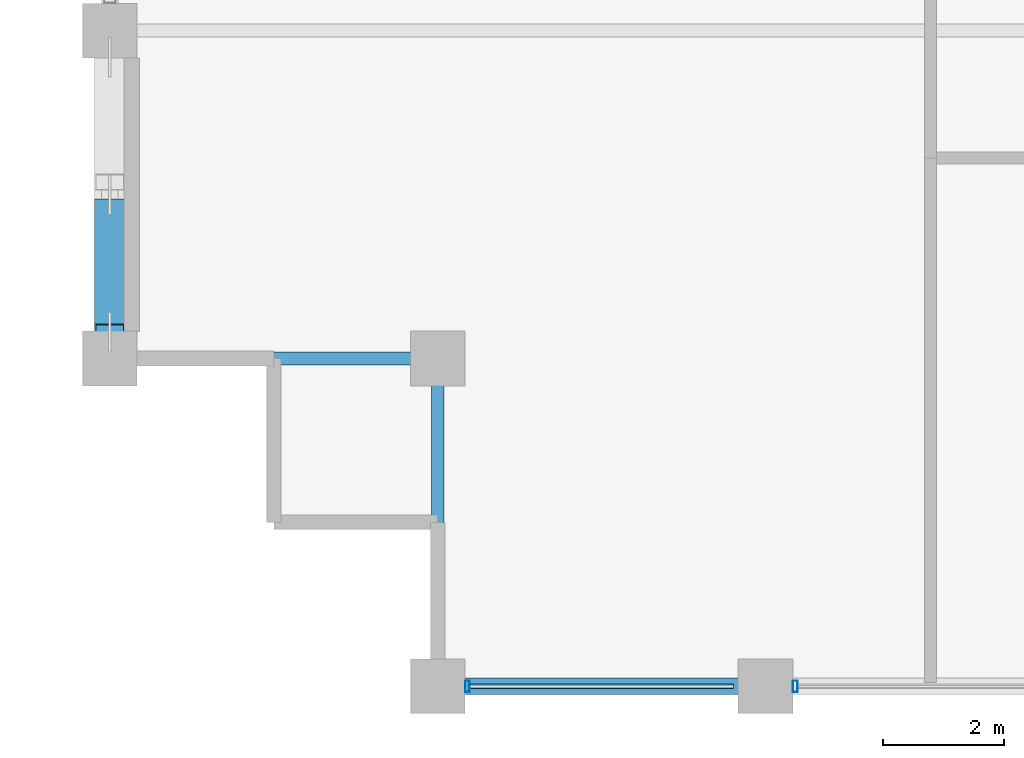
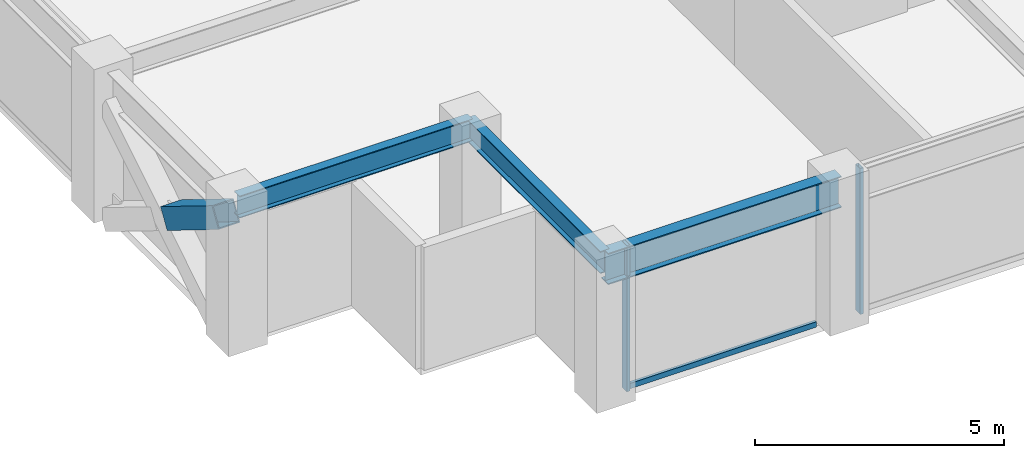
# One storey, part 2 of 32: 4 members, 3 beams, 1 element without a shape of its own.
"""IFC4 building model written with IfcOpenShell, lengths in metres."""

from ifc_helpers import new_model, si_unit, direction, frame, origin, origin_2d, place, context, subcontext, project, spatial, hollow_rectangle, i_section, extrude, material, layer, layer_set, material_profile, profile_set, type_object, element, aggregate, save


model = new_model("IFC4")

# Units and contexts
model_context = context("Model", 3, precision=1e-05, world=origin(), true_north=direction((0.0, 1.0)))
body_context = subcontext(model_context, "Body", "Model", "MODEL_VIEW")
ifc_project = project(units=[si_unit("LENGTHUNIT", "METRE"), si_unit("AREAUNIT", "SQUARE_METRE"), si_unit("VOLUMEUNIT", "CUBIC_METRE"), si_unit("PLANEANGLEUNIT", "RADIAN"), si_unit("MASSUNIT", "GRAM", prefix="KILO")], contexts=[model_context])

# Site, building, storey
site_placement = place(None, origin())
site = spatial("IfcSite", under=ifc_project, at=site_placement, CompositionType="ELEMENT")
building_placement = place(site_placement, origin())
building = spatial("IfcBuilding", under=site, at=building_placement, Name="Surkhivell Harbour Commons", CompositionType="ELEMENT")
storey_placement = place(building_placement, frame((0.0, 0.0, 189.75)))
storey = spatial("IfcBuildingStorey", under=building, at=storey_placement, Name="L49", CompositionType="ELEMENT", Elevation=189.75)

# Beams
ifc_material_1 = material(Name="Steel S355", Category="steel")
ifc_material_profile_1 = material_profile(ifc_material_1, i_section(OverallWidth=0.2119140625, OverallDepth=0.5439453125, WebThickness=0.0126953125, FlangeThickness=0.021240234375, at=origin_2d()), Name="UB533x210x122")
ifc_profile_set_1 = profile_set([ifc_material_profile_1], Name="Steel S355")
beam_type_1 = type_object("IfcBeamType", Name="BM-GRD-533A", PredefinedType="BEAM", material=ifc_profile_set_1)
beam_1_placement = place(storey_placement, frame((-27.0, -16.199951171875, 3.298095703125), z_axis=(1.0, 0.0, 0.0), x_axis=(0.0, 1.0, 0.0)))
element("IfcBeam", 1, at=beam_1_placement, inside=storey, type_object=beam_type_1, Name="L49 Floor Girder (-27.0,-16.2)", PredefinedType="BEAM", context=body_context, shape_type="SweptSolid", body=[
    extrude(i_section(OverallWidth=0.2119140625, OverallDepth=0.5439453125, WebThickness=0.0126953125, FlangeThickness=0.021240234375, at=origin_2d()), origin(), (0.0, 0.0, 1.0), 5.39990234375),
])
beam_2_placement = place(storey_placement, frame((-21.60009765625, -21.60009765625, 3.298095703125), z_axis=(0.0, 1.0, 0.0), x_axis=(-1.0, 0.0, 0.0)))
element("IfcBeam", 2, at=beam_2_placement, inside=storey, type_object=beam_type_1, Name="L49 Floor Girder (-21.6,-21.6)", PredefinedType="BEAM", context=body_context, shape_type="SweptSolid", body=[
    extrude(i_section(OverallWidth=0.2119140625, OverallDepth=0.5439453125, WebThickness=0.0126953125, FlangeThickness=0.021240234375, at=origin_2d()), origin(), (0.0, 0.0, 1.0), 5.400146484375),
])
ifc_material_profile_2 = material_profile(ifc_material_1, i_section(OverallWidth=0.26806640625, OverallDepth=0.77001953125, WebThickness=0.015625, FlangeThickness=0.025390625, at=origin_2d()), Name="UB762x267x197")
ifc_profile_set_2 = profile_set([ifc_material_profile_2], Name="Steel S355")
beam_type_2 = type_object("IfcBeamType", Name="BM-SPN-762", PredefinedType="SPANDREL", material=ifc_profile_set_2)
beam_3_placement = place(storey_placement, frame((-21.60009765625, -21.60009765625, 3.18505859375), z_axis=(1.0, 0.0, 0.0), x_axis=(0.0, 1.0, 0.0)))
element("IfcBeam", 3, at=beam_3_placement, inside=storey, type_object=beam_type_2, Name="L49 Tube Spandrel (-21.6,-21.6)", PredefinedType="SPANDREL", context=body_context, shape_type="SweptSolid", body=[
    extrude(i_section(OverallWidth=0.26806640625, OverallDepth=0.77001953125, WebThickness=0.015625, FlangeThickness=0.025390625, at=origin_2d()), origin(), (0.0, 0.0, 1.0), 5.400146484375),
])

# Curtain wall, members
ifc_material_2 = material(Name="Anodised pale-metal aluminium and insulated glazing", Category="aluminium")
ifc_layer = layer(ifc_material_2, 0.18994140625)
ifc_layer_set = layer_set([ifc_layer], Name="Anodised pale-metal aluminium and insulated glazing")
curtain_wall_type = type_object("IfcCurtainWallType", Name="CW-SYS-Z3", PredefinedType="NOTDEFINED", material=ifc_layer_set)
curtain_wall_placement = place(storey_placement, origin())
curtain_wall = element("IfcCurtainWall", 4, at=curtain_wall_placement, inside=storey, type_object=curtain_wall_type, Name="L49 Curtain Wall CW-L49-E00S1", PredefinedType="NOTDEFINED")
ifc_material_3 = material(Name="Anodised pale-metal aluminium alloy 6063-T6", Category="aluminium")
ifc_material_profile_3 = material_profile(ifc_material_3, hollow_rectangle(XDim=0.074951171875, YDim=0.18994140625, WallThickness=0.00390625, at=origin_2d()), Name="ALU-MULL-75x190")
ifc_profile_set_3 = profile_set([ifc_material_profile_3], Name="Anodised pale-metal aluminium alloy 6063-T6")
member_type_1 = type_object("IfcMemberType", Name="CWM-190", PredefinedType="MULLION", material=ifc_profile_set_3)
member_1_placement = place(storey_placement, frame((-21.110595703125, -21.60009765625, 0.0), z_axis=(0.0, 0.0, 1.0), x_axis=(1.0, 0.0, 0.0)))
member_1 = element("IfcMember", 5, at=member_1_placement, type_object=member_type_1, Name="CW-Z3 mullion 1", PredefinedType="MULLION", context=body_context, shape_type="SweptSolid", body=[
    extrude(hollow_rectangle(XDim=0.074951171875, YDim=0.18994140625, WallThickness=0.00390625, at=origin_2d()), origin(), (0.0, 0.0, 1.0), 3.570068359375),
])
member_2_placement = place(storey_placement, frame((-15.71044921875, -21.60009765625, 0.0), z_axis=(0.0, 0.0, 1.0), x_axis=(1.0, 0.0, 0.0)))
member_2 = element("IfcMember", 6, at=member_2_placement, type_object=member_type_1, Name="CW-Z3 mullion 2", PredefinedType="MULLION", context=body_context, shape_type="SweptSolid", body=[
    extrude(hollow_rectangle(XDim=0.074951171875, YDim=0.18994140625, WallThickness=0.00390625, at=origin_2d()), origin(), (0.0, 0.0, 1.0), 3.570068359375),
])
ifc_material_4 = material(Name="Champagne anodised aluminium alloy 6063-T6", Category="aluminium")
ifc_material_profile_4 = material_profile(ifc_material_4, hollow_rectangle(XDim=0.070068359375, YDim=0.1298828125, WallThickness=0.00341796875, at=origin_2d()), Name="ALU-TRAN-70x130")
ifc_profile_set_4 = profile_set([ifc_material_profile_4], Name="Champagne anodised aluminium alloy 6063-T6")
member_type_2 = type_object("IfcMemberType", Name="CWT-130", PredefinedType="USERDEFINED", material=ifc_profile_set_4)
member_3_placement = place(storey_placement, frame((-21.072998046875, -21.60009765625, 0.06494140625), z_axis=(1.0, 0.0, 0.0), x_axis=(0.0, 1.0, 0.0)))
member_3 = element("IfcMember", 7, at=member_3_placement, type_object=member_type_2, Name="CW-Z3 transom 1.1", ObjectType="TRANSOM", PredefinedType="USERDEFINED", context=body_context, shape_type="SweptSolid", body=[
    extrude(hollow_rectangle(XDim=0.070068359375, YDim=0.1298828125, WallThickness=0.00341796875, at=origin_2d()), origin(), (0.0, 0.0, 1.0), 4.345947265625),
])
aggregate(curtain_wall, [member_1, member_3, member_2])

# Member
ifc_material_5 = material(Name="Steel S460", Category="steel")
ifc_material_profile_5 = material_profile(ifc_material_5, hollow_rectangle(XDim=0.5, YDim=0.5, WallThickness=0.02490234375, at=origin_2d()), Name="SHS500x500x25")
ifc_profile_set_5 = profile_set([ifc_material_profile_5], Name="Steel S460")
member_type_3 = type_object("IfcMemberType", Name="MEM-BRC-SHS500", PredefinedType="BRACE", material=ifc_profile_set_5)
member_4_placement = place(storey_placement, frame((-27.0, -13.7041015625, 1.531982421875), z_axis=(0.0, -0.850958361341, 0.525233155146), x_axis=(1.0, 0.0, 0.0)))
element("IfcMember", 8, at=member_4_placement, inside=storey, type_object=member_type_3, Name="L49 Perimeter Mega-Brace MB- 12", PredefinedType="BRACE", context=body_context, shape_type="SweptSolid", body=[
    extrude(hollow_rectangle(XDim=0.5, YDim=0.5, WallThickness=0.02490234375, at=origin_2d()), origin(), (0.0, 0.0, 1.0), 2.421630859375),
])

save(model, "model.ifc")
